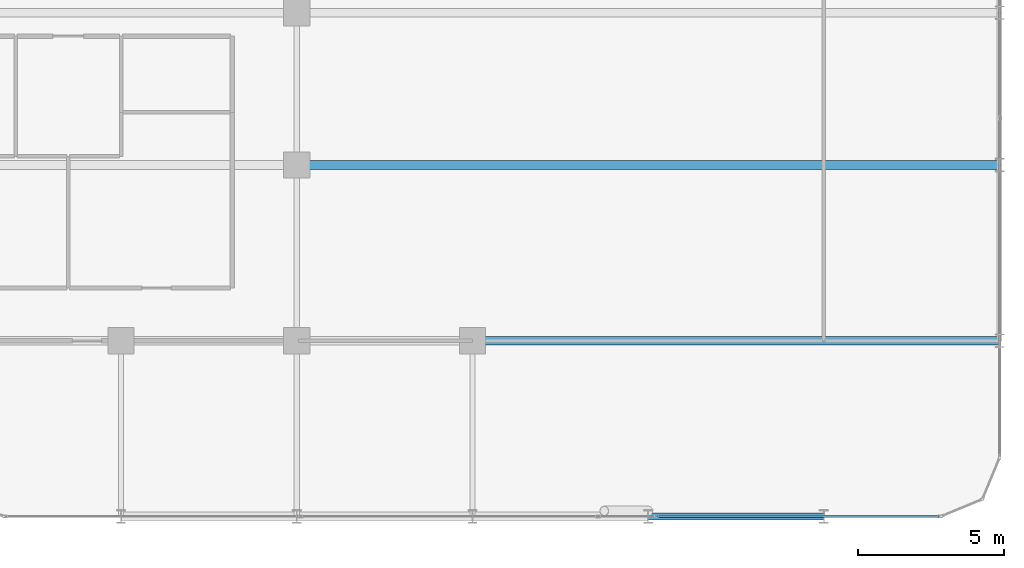
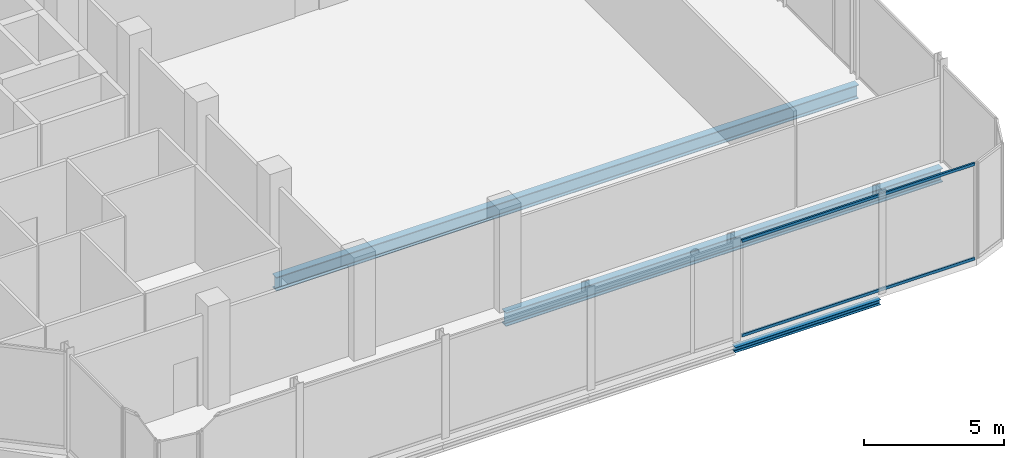
# One storey, part 13 of 31: 3 beams, 2 members, 1 element without a shape of its own.
"""IFC4 building model written with IfcOpenShell, lengths in metres."""

from ifc_helpers import new_model, si_unit, direction, frame, origin, origin_2d, place, context, subcontext, project, spatial, hollow_rectangle, i_section, extrude, material, layer, layer_set, material_profile, profile_set, type_object, element, aggregate, save


model = new_model("IFC4")

# Units and contexts
model_context = context("Model", 3, precision=1e-05, world=origin(), true_north=direction((0.0, 1.0)))
body_context = subcontext(model_context, "Body", "Model", "MODEL_VIEW")
ifc_project = project(units=[si_unit("LENGTHUNIT", "METRE"), si_unit("AREAUNIT", "SQUARE_METRE"), si_unit("VOLUMEUNIT", "CUBIC_METRE"), si_unit("PLANEANGLEUNIT", "RADIAN"), si_unit("MASSUNIT", "GRAM", prefix="KILO")], contexts=[model_context])

# Site, building, storey
site_placement = place(None, origin())
site = spatial("IfcSite", under=ifc_project, at=site_placement, CompositionType="ELEMENT")
building_placement = place(site_placement, origin())
building = spatial("IfcBuilding", under=site, at=building_placement, Name="Keshet Zoharim Tower", CompositionType="ELEMENT")
storey_placement = place(building_placement, frame((0.0, 0.0, 183.89990234375)))
storey = spatial("IfcBuildingStorey", under=building, at=storey_placement, Name="L45", CompositionType="ELEMENT", Elevation=183.89990234375)

# Beams
ifc_material_1 = material(Name="Steel S355", Category="steel")
ifc_material_profile_1 = material_profile(ifc_material_1, i_section(OverallWidth=0.300048828125, OverallDepth=0.60009765625, WebThickness=0.015380859375, FlangeThickness=0.030029296875, FilletRadius=0.027099609375, at=origin_2d()), Name="HEB600")
ifc_profile_set_1 = profile_set([ifc_material_profile_1], Name="Steel S355")
beam_type_1 = type_object("IfcBeamType", Name="BM-LNG-HB600", PredefinedType="BEAM", material=ifc_profile_set_1)
beam_1_placement = place(storey_placement, frame((39.0, 6.699951171875, -0.619873046875), z_axis=(1.0, 0.0, 0.0), x_axis=(0.0, 1.0, 0.0)))
element("IfcBeam", 1, at=beam_1_placement, inside=storey, type_object=beam_type_1, Name="L45 Primary Girder X-008", PredefinedType="BEAM", context=body_context, shape_type="SweptSolid", body=[
    extrude(i_section(OverallWidth=0.300048828125, OverallDepth=0.60009765625, WebThickness=0.015380859375, FlangeThickness=0.030029296875, FilletRadius=0.027099609375, at=origin_2d()), origin(), (0.0, 0.0, 1.0), 18.0),
])
beam_2_placement = place(storey_placement, frame((33.0, 12.699951171875, -0.619873046875), z_axis=(1.0, 0.0, 0.0), x_axis=(0.0, 1.0, 0.0)))
element("IfcBeam", 2, at=beam_2_placement, inside=storey, type_object=beam_type_1, Name="L45 Primary Girder X-010", PredefinedType="BEAM", context=body_context, shape_type="SweptSolid", body=[
    extrude(i_section(OverallWidth=0.300048828125, OverallDepth=0.60009765625, WebThickness=0.015380859375, FlangeThickness=0.030029296875, FilletRadius=0.027099609375, at=origin_2d()), origin(), (0.0, 0.0, 1.0), 24.0),
])
ifc_material_profile_2 = material_profile(ifc_material_1, i_section(OverallWidth=0.239990234375, OverallDepth=0.22998046875, WebThickness=0.007568359375, FlangeThickness=0.011962890625, FilletRadius=0.02099609375, at=origin_2d()), Name="HEA240")
ifc_profile_set_2 = profile_set([ifc_material_profile_2], Name="Steel S355")
beam_type_2 = type_object("IfcBeamType", Name="BM-LNT-HA240", PredefinedType="LINTEL", material=ifc_profile_set_2)
beam_3_placement = place(storey_placement, frame((45.0, 0.699951171875, -0.434814453125), z_axis=(1.0, 0.0, 0.0), x_axis=(0.0, 1.0, 0.0)))
element("IfcBeam", 3, at=beam_3_placement, inside=storey, type_object=beam_type_2, Name="L45 Primary Girder X-004", PredefinedType="LINTEL", context=body_context, shape_type="SweptSolid", body=[
    extrude(i_section(OverallWidth=0.239990234375, OverallDepth=0.22998046875, WebThickness=0.007568359375, FlangeThickness=0.011962890625, FilletRadius=0.02099609375, at=origin_2d()), origin(), (0.0, 0.0, 1.0), 6.0),
])

# Curtain wall, members
ifc_material_2 = material(Name="Aluminium 6063-T6", Category="aluminium")
ifc_layer = layer(ifc_material_2, 0.139892578125)
ifc_layer_set = layer_set([ifc_layer], Name="Aluminium 6063-T6")
curtain_wall_type = type_object("IfcCurtainWallType", Name="CW-SYS-05", PredefinedType="NOTDEFINED", material=ifc_layer_set)
curtain_wall_placement = place(storey_placement, origin())
curtain_wall = element("IfcCurtainWall", 4, at=curtain_wall_placement, inside=storey, type_object=curtain_wall_type, Name="L45 Unitised Curtain Wall 11", PredefinedType="NOTDEFINED")
ifc_material_profile_3 = material_profile(ifc_material_2, hollow_rectangle(XDim=0.074951171875, YDim=0.1201171875, WallThickness=0.00390625, at=origin_2d()), Name="TRN-75x120")
ifc_profile_set_3 = profile_set([ifc_material_profile_3], Name="Aluminium 6063-T6")
member_type = type_object("IfcMemberType", Name="CWT-T12", PredefinedType="USERDEFINED", material=ifc_profile_set_3)
member_1_placement = place(storey_placement, frame((54.929931640625, 0.699951171875, 0.03515625), z_axis=(-1.0, 0.0, 0.0), x_axis=(0.0, -1.0, 0.0)))
member_1 = element("IfcMember", 5, at=member_1_placement, type_object=member_type, Name="CW-05 transom 1.1", ObjectType="TRANSOM", PredefinedType="USERDEFINED", context=body_context, shape_type="SweptSolid", body=[
    extrude(hollow_rectangle(XDim=0.074951171875, YDim=0.1201171875, WallThickness=0.00390625, at=origin_2d()), origin(), (0.0, 0.0, 1.0), 9.607421875),
])
member_2_placement = place(storey_placement, frame((54.929931640625, 0.699951171875, 4.155029296875), z_axis=(-1.0, 0.0, 0.0), x_axis=(0.0, -1.0, 0.0)))
member_2 = element("IfcMember", 6, at=member_2_placement, type_object=member_type, Name="CW-05 transom 1.2", ObjectType="TRANSOM", PredefinedType="USERDEFINED", context=body_context, shape_type="SweptSolid", body=[
    extrude(hollow_rectangle(XDim=0.074951171875, YDim=0.1201171875, WallThickness=0.00390625, at=origin_2d()), origin(), (0.0, 0.0, 1.0), 9.607421875),
])
aggregate(curtain_wall, [member_1, member_2])

save(model, "model.ifc")
